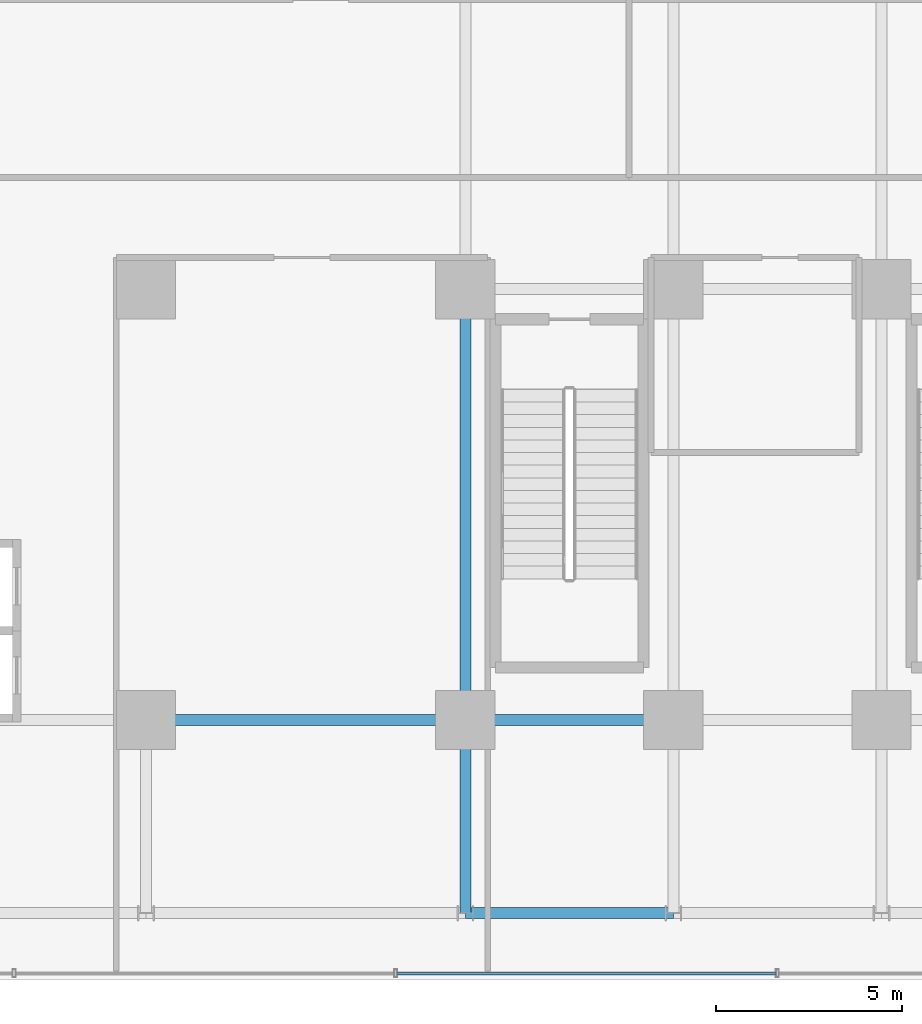
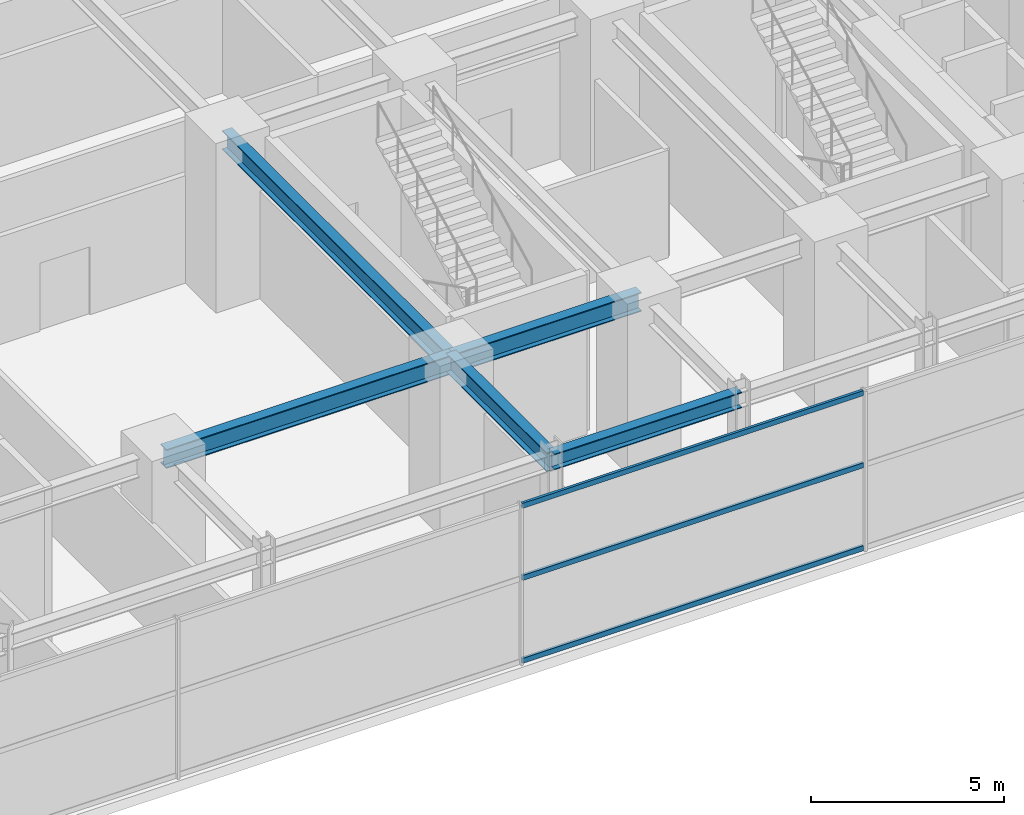
# One storey, part 7 of 32: 5 beams, 3 members, 1 element without a shape of its own.
"""IFC4 building model written with IfcOpenShell, lengths in metres."""

from ifc_helpers import new_model, si_unit, direction, frame, origin, origin_2d, place, context, subcontext, project, spatial, hollow_rectangle, i_section, extrude, source, transform, mapped, material, material_profile, profile_set, type_object, element, aggregate, save


model = new_model("IFC4")

# Units and contexts
model_context = context("Model", 3, precision=1e-05, world=origin(), true_north=direction((0.0, 1.0)))
body_context = subcontext(model_context, "Body", "Model", "MODEL_VIEW")
ifc_project = project(units=[si_unit("LENGTHUNIT", "METRE"), si_unit("AREAUNIT", "SQUARE_METRE"), si_unit("VOLUMEUNIT", "CUBIC_METRE"), si_unit("PLANEANGLEUNIT", "RADIAN"), si_unit("MASSUNIT", "GRAM", prefix="KILO")], contexts=[model_context])

# Site, building, storey
site_placement = place(None, origin())
site = spatial("IfcSite", under=ifc_project, at=site_placement, CompositionType="ELEMENT")
building_placement = place(site_placement, origin())
building = spatial("IfcBuilding", under=site, at=building_placement, Name="Nahalor Promenade Grand Hotel", CompositionType="ELEMENT")
storey_placement = place(building_placement, frame((0.0, 0.0, 10.800048828125)))
storey = spatial("IfcBuildingStorey", under=building, at=storey_placement, Name="L02", CompositionType="ELEMENT", Elevation=10.800048828125)

# Beams
ifc_material_1 = material(Name="Steel S355JR", Category="steel")
ifc_material_profile_1 = material_profile(ifc_material_1, i_section(OverallWidth=0.3, OverallDepth=0.6, WebThickness=0.0155, FlangeThickness=0.03, at=origin_2d()), Name="HEB 600")
ifc_profile_set_1 = profile_set([ifc_material_profile_1], Name="Steel S355JR")
beam_type_1 = type_object("IfcBeamType", Name="Beam-Girder-HEB600", PredefinedType="BEAM", material=ifc_profile_set_1)
shared_shape_1 = source(origin(), body_context, "Body", "SweptSolid", [
    extrude(i_section(OverallWidth=0.3, OverallDepth=0.6, WebThickness=0.0155, FlangeThickness=0.03, at=origin_2d()), origin(), (0.0, 0.0, 1.0), 8.60009765625),
])
beam_1_placement = place(storey_placement, frame((-17.0, -17.0, 4.760009765625), z_axis=(1.0, 0.0, 0.0), x_axis=(0.0, 1.0, 0.0)))
element("IfcBeam", 1, at=beam_1_placement, inside=storey, type_object=beam_type_1, Name="BM-L02-GX-0-2", PredefinedType="BEAM", context=body_context, shape_type="MappedRepresentation", body=[
    mapped(shared_shape_1, transform((0.0, 0.0, 0.0), scale=1.0)),
])
shared_shape_2 = source(origin(), body_context, "Body", "SweptSolid", [
    extrude(i_section(OverallWidth=0.3, OverallDepth=0.6, WebThickness=0.0155, FlangeThickness=0.03, at=origin_2d()), origin(), (0.0, 0.0, 1.0), 5.599853515625),
])
beam_2_placement = place(storey_placement, frame((-8.39990234375, -17.0, 4.760009765625), z_axis=(1.0, 0.0, 0.0), x_axis=(0.0, 1.0, 0.0)))
element("IfcBeam", 2, at=beam_2_placement, inside=storey, type_object=beam_type_1, Name="BM-L02-GX-0-3", PredefinedType="BEAM", context=body_context, shape_type="MappedRepresentation", body=[
    mapped(shared_shape_2, transform((0.0, 0.0, 0.0), scale=1.0)),
])
shared_shape_3 = source(origin(), body_context, "Body", "SweptSolid", [
    extrude(i_section(OverallWidth=0.3, OverallDepth=0.6, WebThickness=0.0155, FlangeThickness=0.03, at=origin_2d()), origin(), (0.0, 0.0, 1.0), 5.199951171875),
])
beam_3_placement = place(storey_placement, frame((-8.39990234375, -22.199951171875, 4.760009765625), z_axis=(0.0, 1.0, 0.0), x_axis=(-1.0, 0.0, 0.0)))
element("IfcBeam", 3, at=beam_3_placement, inside=storey, type_object=beam_type_1, Name="BM-L02-GY-1-0", PredefinedType="BEAM", context=body_context, shape_type="MappedRepresentation", body=[
    mapped(shared_shape_3, transform((0.0, 0.0, 0.0), scale=1.0)),
])
shared_shape_4 = source(origin(), body_context, "Body", "SweptSolid", [
    extrude(i_section(OverallWidth=0.3, OverallDepth=0.6, WebThickness=0.0155, FlangeThickness=0.03, at=origin_2d()), origin(), (0.0, 0.0, 1.0), 11.60009765625),
])
beam_4_placement = place(storey_placement, frame((-8.39990234375, -17.0, 4.760009765625), z_axis=(0.0, 1.0, 0.0), x_axis=(-1.0, 0.0, 0.0)))
element("IfcBeam", 4, at=beam_4_placement, inside=storey, type_object=beam_type_1, Name="BM-L02-GY-1-1", PredefinedType="BEAM", context=body_context, shape_type="MappedRepresentation", body=[
    mapped(shared_shape_4, transform((0.0, 0.0, 0.0), scale=1.0)),
])
ifc_material_profile_2 = material_profile(ifc_material_1, i_section(OverallWidth=0.3, OverallDepth=0.5, WebThickness=0.0145, FlangeThickness=0.028, at=origin_2d()), Name="HEB 500")
ifc_profile_set_2 = profile_set([ifc_material_profile_2], Name="Steel S355JR")
beam_type_2 = type_object("IfcBeamType", Name="Beam-Spandrel-HEB500", PredefinedType="SPANDREL", material=ifc_profile_set_2)
shared_shape_5 = source(origin(), body_context, "Body", "SweptSolid", [
    extrude(i_section(OverallWidth=0.3, OverallDepth=0.5, WebThickness=0.0145, FlangeThickness=0.028, at=origin_2d()), origin(), (0.0, 0.0, 1.0), 5.599853515625),
])
beam_5_placement = place(storey_placement, frame((-8.39990234375, -22.199951171875, 4.81005859375), z_axis=(1.0, 0.0, 0.0), x_axis=(0.0, 1.0, 0.0)))
element("IfcBeam", 5, at=beam_5_placement, inside=storey, type_object=beam_type_2, Name="BM-L02-SP-S-1", PredefinedType="SPANDREL", context=body_context, shape_type="MappedRepresentation", body=[
    mapped(shared_shape_5, transform((0.0, 0.0, 0.0), scale=1.0)),
])

# Curtain wall, members
ifc_material_2 = material(Name="Anodised Bronze Aluminium EN AW-6063 T6", Category="aluminium")
curtain_wall_type = type_object("IfcCurtainWallType", Name="CW1 Waterfront Podium Bronze Arcade Curtain Wall", PredefinedType="USERDEFINED", material=ifc_material_2)
curtain_wall_placement = place(storey_placement, origin())
curtain_wall = element("IfcCurtainWall", 6, at=curtain_wall_placement, inside=storey, type_object=curtain_wall_type, Name="L02 Curtain Wall CW-L02-S", ObjectType="UNITISED_CURTAIN_WALL", PredefinedType="USERDEFINED")
ifc_material_profile_3 = material_profile(ifc_material_2, hollow_rectangle(XDim=0.08, YDim=0.16, WallThickness=0.004, at=origin_2d()), Name="CWT 80x160x4")
ifc_profile_set_3 = profile_set([ifc_material_profile_3], Name="Anodised Bronze Aluminium EN AW-6063 T6")
member_type = type_object("IfcMemberType", Name="CWT1 Podium Bronze Transom 80x160", PredefinedType="USERDEFINED", material=ifc_profile_set_3)
shared_shape_6 = source(origin(), body_context, "Body", "SweptSolid", [
    extrude(hollow_rectangle(XDim=0.08, YDim=0.16, WallThickness=0.004, at=origin_2d()), origin(), (0.0, 0.0, 1.0), 10.193359375),
])
member_1_placement = place(storey_placement, frame((-10.2333984375, -23.820068359375, 0.079833984375), z_axis=(1.0, 0.0, 0.0), x_axis=(0.0, 1.0, 0.0)))
member_1 = element("IfcMember", 7, at=member_1_placement, type_object=member_type, Name="CW-L02-S Transom 2-0", ObjectType="TRANSOM", PredefinedType="USERDEFINED", context=body_context, shape_type="MappedRepresentation", body=[
    mapped(shared_shape_6, transform((0.0, 0.0, 0.0), scale=1.0)),
])
member_2_placement = place(storey_placement, frame((-10.2333984375, -23.820068359375, 2.699951171875), z_axis=(1.0, 0.0, 0.0), x_axis=(0.0, 1.0, 0.0)))
member_2 = element("IfcMember", 8, at=member_2_placement, type_object=member_type, Name="CW-L02-S Transom 2-1", ObjectType="TRANSOM", PredefinedType="USERDEFINED", context=body_context, shape_type="MappedRepresentation", body=[
    mapped(shared_shape_6, transform((0.0, 0.0, 0.0), scale=1.0)),
])
member_3_placement = place(storey_placement, frame((-10.2333984375, -23.820068359375, 4.97998046875), z_axis=(1.0, 0.0, 0.0), x_axis=(0.0, 1.0, 0.0)))
member_3 = element("IfcMember", 9, at=member_3_placement, type_object=member_type, Name="CW-L02-S Transom 2-2", ObjectType="TRANSOM", PredefinedType="USERDEFINED", context=body_context, shape_type="MappedRepresentation", body=[
    mapped(shared_shape_6, transform((0.0, 0.0, 0.0), scale=1.0)),
])
aggregate(curtain_wall, [member_1, member_2, member_3])

save(model, "model.ifc")
